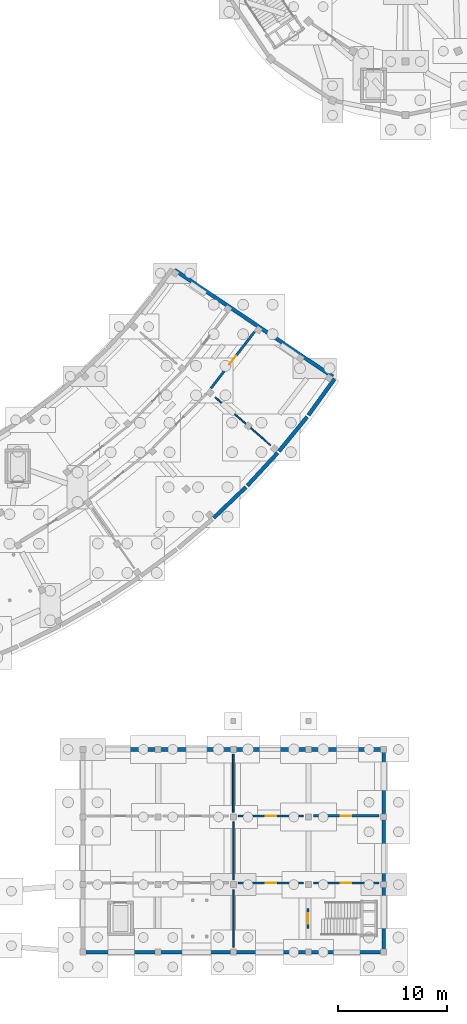
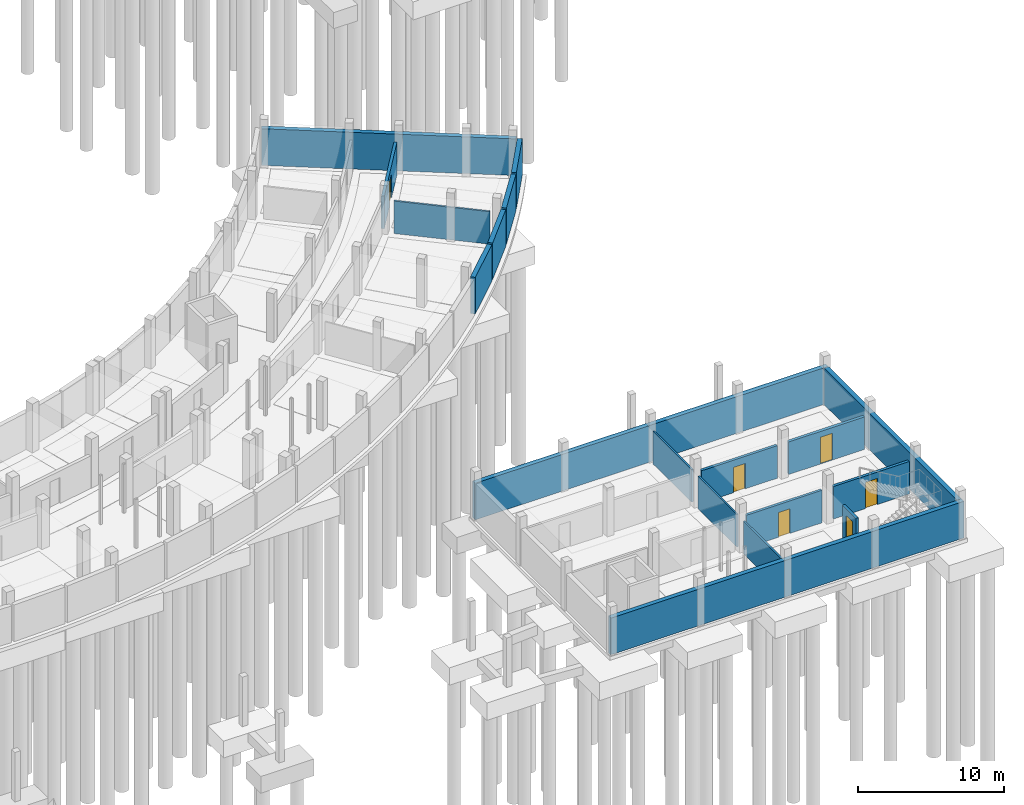
# One storey, part 45 of 58: 18 walls, 6 doors, 6 openings.
"""IFC4 building model written with IfcOpenShell, lengths in metres."""

from ifc_helpers import new_model, si_unit, direction, frame, frame_2d, origin, place, context, subcontext, project, spatial, rectangle, extrude, material, layer, layer_set, type_object, element, fill, save


model = new_model("IFC4")

# Units and contexts
model_context = context("Model", 3, precision=1e-05, world=origin(), true_north=direction((0.0, 1.0)))
body_context = subcontext(model_context, "Body", "Model", "MODEL_VIEW")
ifc_project = project(units=[si_unit("LENGTHUNIT", "METRE"), si_unit("AREAUNIT", "SQUARE_METRE"), si_unit("VOLUMEUNIT", "CUBIC_METRE"), si_unit("PLANEANGLEUNIT", "RADIAN"), si_unit("MASSUNIT", "GRAM", prefix="KILO")], contexts=[model_context])

# Site, building, storey
site_placement = place(None, origin())
site = spatial("IfcSite", under=ifc_project, at=site_placement, CompositionType="ELEMENT")
building_placement = place(site_placement, origin())
building = spatial("IfcBuilding", under=site, at=building_placement, Name="Caldaven Crescent School", CompositionType="ELEMENT")
storey_placement = place(building_placement, frame((0.0, 0.0, -4.080078125)))
storey = spatial("IfcBuildingStorey", under=building, at=storey_placement, Name="B1", CompositionType="ELEMENT", Elevation=-4.080078125)

# Wall, opening, door
ifc_material_1 = material(Name="Acoustic timber-stud and fire-rated gypsum board assembly", Category="wood")
ifc_layer_1 = layer(ifc_material_1, 0.18994140625)
ifc_layer_set_1 = layer_set([ifc_layer_1], Name="Acoustic timber-stud and fire-rated gypsum board assembly")
wall_type_1 = type_object("IfcWallType", Name="WAL-IW04", PredefinedType="STANDARD", material=ifc_layer_set_1)
wall_1_placement = place(storey_placement, frame((143.570068359375, 6.3798828125, 0.0), z_axis=(0.0, 0.0, 1.0), x_axis=(0.0, 1.0, 0.0)))
wall_1 = element("IfcWall", 1, at=wall_1_placement, inside=storey, type_object=wall_type_1, Name="IW-ST-STB4-B1", PredefinedType="STANDARD", context=body_context, shape_type="SweptSolid", body=[
    extrude(rectangle(XDim=1.840087890625, YDim=0.18994140625, at=frame_2d((0.919921875, 0.0))), origin(), (0.0, 0.0, 1.0), 2.719970703125),
])
opening_1_placement = place(wall_1_placement, frame((0.449951171875, 0.0, 0.0)))
opening_1 = element("IfcOpeningElement", 2, at=opening_1_placement, cuts=wall_1, Name="Opening FD-STB4-B1", PredefinedType="OPENING", context=body_context, shape_type="SweptSolid", body=[
    extrude(rectangle(XDim=0.93994140625, YDim=2.139892578125, at=frame_2d((0.469970703125, 1.06982421875))), frame((0.0, 0.10498046875, 0.0), z_axis=(0.0, -1.0, 0.0), x_axis=(1.0, 0.0, 0.0)), (0.0, 0.0, 1.0), 0.2099609375),
])
ifc_material_2 = material(Name="Acoustic fire-rated steel-framed hardwood leaf", Category="steel")
door_type_1 = type_object("IfcDoorType", Name="DOR-FD01", OperationType="NOTDEFINED", PredefinedType="DOOR", material=ifc_material_2)
door_1_placement = place(opening_1_placement, frame((0.93994140625, 0.0, 0.0), z_axis=(0.0, 0.0, 1.0), x_axis=(-1.0, 0.0, 0.0)))
door_1 = element("IfcDoor", 3, at=door_1_placement, inside=storey, type_object=door_type_1, Name="DOR-ST-STB4-B1", OperationType="SINGLE_SWING_LEFT", OverallHeight=2.139892578125, OverallWidth=0.93994140625, PredefinedType="DOOR", context=body_context, shape_type="SweptSolid", body=[
    extrude(rectangle(XDim=0.93994140625, YDim=2.139892578125, at=frame_2d((0.469970703125, 1.06982421875))), frame((0.0, 0.02490234375, 0.0), z_axis=(0.0, -1.0, 0.0), x_axis=(1.0, 0.0, 0.0)), (0.0, 0.0, 1.0), 0.050048828125),
])
fill(opening_1, door_1)

ifc_layer_2 = layer(ifc_material_1, 0.199951171875)
ifc_layer_set_2 = layer_set([ifc_layer_2], Name="Acoustic timber-stud and fire-rated gypsum board assembly")
wall_type_2 = type_object("IfcWallType", Name="WAL-IW05", PredefinedType="STANDARD", material=ifc_layer_set_2)
wall_2_placement = place(storey_placement, frame((137.14990234375, 10.550048828125, 0.0), z_axis=(0.0, 0.0, 1.0), x_axis=(1.0, 0.0, 0.0)))
wall_2 = element("IfcWall", 4, at=wall_2_placement, inside=storey, type_object=wall_type_2, Name="IW-B1-0068", PredefinedType="STANDARD", context=body_context, shape_type="SweptSolid", body=[
    extrude(rectangle(XDim=6.0, YDim=0.199951171875, at=frame_2d((3.0, 0.0))), origin(), (0.0, 0.0, 1.0), 2.719970703125),
])
opening_2_placement = place(wall_2_placement, frame((2.530029296875, 0.0, 0.0)))
opening_2 = element("IfcOpeningElement", 5, at=opening_2_placement, cuts=wall_2, Name="Opening D-B1-I048", PredefinedType="OPENING", context=body_context, shape_type="SweptSolid", body=[
    extrude(rectangle(XDim=0.93994140625, YDim=2.06005859375, at=frame_2d((0.469970703125, 1.030029296875))), frame((0.0, 0.10986328125, 0.0), z_axis=(0.0, -1.0, 0.0), x_axis=(1.0, 0.0, 0.0)), (0.0, 0.0, 1.0), 0.219970703125),
])
ifc_material_3 = material(Name="Solid-core Pino Radiata acoustic timber leaf in steel frame", Category="steel")
door_type_2 = type_object("IfcDoorType", Name="DOR-ID09", OperationType="NOTDEFINED", PredefinedType="DOOR", material=ifc_material_3)
door_2_placement = place(opening_2_placement, origin())
door_2 = element("IfcDoor", 6, at=door_2_placement, inside=storey, type_object=door_type_2, Name="DOR-INT-B1-0048", OperationType="SINGLE_SWING_LEFT", OverallHeight=2.06005859375, OverallWidth=0.93994140625, PredefinedType="DOOR", context=body_context, shape_type="SweptSolid", body=[
    extrude(rectangle(XDim=0.93994140625, YDim=2.06005859375, at=frame_2d((0.469970703125, 1.030029296875))), frame((0.0, 0.02490234375, 0.0), z_axis=(0.0, -1.0, 0.0), x_axis=(1.0, 0.0, 0.0)), (0.0, 0.0, 1.0), 0.050048828125),
])
fill(opening_2, door_2)

ifc_layer_3 = layer(ifc_material_1, 0.2099609375)
ifc_layer_set_3 = layer_set([ifc_layer_3], Name="Acoustic timber-stud and fire-rated gypsum board assembly")
wall_type_3 = type_object("IfcWallType", Name="WAL-IW06", PredefinedType="STANDARD", material=ifc_layer_set_3)
wall_3_placement = place(storey_placement, frame((137.14990234375, 16.699951171875, 0.0), z_axis=(0.0, 0.0, 1.0), x_axis=(1.0, 0.0, 0.0)))
wall_3 = element("IfcWall", 7, at=wall_3_placement, inside=storey, type_object=wall_type_3, Name="IW-B1-0069", PredefinedType="STANDARD", context=body_context, shape_type="SweptSolid", body=[
    extrude(rectangle(XDim=6.0, YDim=0.2099609375, at=frame_2d((3.0, 0.0))), origin(), (0.0, 0.0, 1.0), 2.719970703125),
])
opening_3_placement = place(wall_3_placement, frame((2.530029296875, 0.0, 0.0)))
opening_3 = element("IfcOpeningElement", 8, at=opening_3_placement, cuts=wall_3, Name="Opening D-B1-I049", PredefinedType="OPENING", context=body_context, shape_type="SweptSolid", body=[
    extrude(rectangle(XDim=0.93994140625, YDim=2.1201171875, at=frame_2d((0.469970703125, 1.06005859375))), frame((0.0, 0.114990234375, 0.0), z_axis=(0.0, -1.0, 0.0), x_axis=(1.0, 0.0, 0.0)), (0.0, 0.0, 1.0), 0.22998046875),
])
door_type_3 = type_object("IfcDoorType", Name="DOR-ID10", OperationType="NOTDEFINED", PredefinedType="DOOR", material=ifc_material_3)
door_3_placement = place(opening_3_placement, frame((0.93994140625, 0.0, 0.0), z_axis=(0.0, 0.0, 1.0), x_axis=(-1.0, 0.0, 0.0)))
door_3 = element("IfcDoor", 9, at=door_3_placement, inside=storey, type_object=door_type_3, Name="DOR-INT-B1-0049", OperationType="SINGLE_SWING_RIGHT", OverallHeight=2.1201171875, OverallWidth=0.93994140625, PredefinedType="DOOR", context=body_context, shape_type="SweptSolid", body=[
    extrude(rectangle(XDim=0.93994140625, YDim=2.1201171875, at=frame_2d((0.469970703125, 1.06005859375))), frame((0.0, 0.02490234375, 0.0), z_axis=(0.0, -1.0, 0.0), x_axis=(1.0, 0.0, 0.0)), (0.0, 0.0, 1.0), 0.050048828125),
])
fill(opening_3, door_3)

ifc_layer_4 = layer(ifc_material_1, 0.219970703125)
ifc_layer_set_4 = layer_set([ifc_layer_4], Name="Acoustic timber-stud and fire-rated gypsum board assembly")
wall_type_4 = type_object("IfcWallType", Name="WAL-IW07", PredefinedType="STANDARD", material=ifc_layer_set_4)
wall_4_placement = place(storey_placement, frame((144.050048828125, 10.550048828125, 0.0), z_axis=(0.0, 0.0, 1.0), x_axis=(1.0, 0.0, 0.0)))
wall_4 = element("IfcWall", 10, at=wall_4_placement, inside=storey, type_object=wall_type_4, Name="IW-B1-0070", PredefinedType="STANDARD", context=body_context, shape_type="SweptSolid", body=[
    extrude(rectangle(XDim=6.0, YDim=0.219970703125, at=frame_2d((3.0, 0.0))), origin(), (0.0, 0.0, 1.0), 2.719970703125),
])
opening_4_placement = place(wall_4_placement, frame((2.530029296875, 0.0, 0.0)))
opening_4 = element("IfcOpeningElement", 11, at=opening_4_placement, cuts=wall_4, Name="Opening D-B1-I050", PredefinedType="OPENING", context=body_context, shape_type="SweptSolid", body=[
    extrude(rectangle(XDim=0.93994140625, YDim=2.179931640625, at=frame_2d((0.469970703125, 1.08984375))), frame((0.0, 0.119873046875, 0.0), z_axis=(0.0, -1.0, 0.0), x_axis=(1.0, 0.0, 0.0)), (0.0, 0.0, 1.0), 0.239990234375),
])
door_type_4 = type_object("IfcDoorType", Name="DOR-ID11", OperationType="NOTDEFINED", PredefinedType="DOOR", material=ifc_material_3)
door_4_placement = place(opening_4_placement, origin())
door_4 = element("IfcDoor", 12, at=door_4_placement, inside=storey, type_object=door_type_4, Name="DOR-INT-B1-0050", OperationType="SINGLE_SWING_LEFT", OverallHeight=2.179931640625, OverallWidth=0.93994140625, PredefinedType="DOOR", context=body_context, shape_type="SweptSolid", body=[
    extrude(rectangle(XDim=0.93994140625, YDim=2.179931640625, at=frame_2d((0.469970703125, 1.08984375))), frame((0.0, 0.02490234375, 0.0), z_axis=(0.0, -1.0, 0.0), x_axis=(1.0, 0.0, 0.0)), (0.0, 0.0, 1.0), 0.050048828125),
])
fill(opening_4, door_4)

wall_5_placement = place(storey_placement, frame((134.6494140625, 55.92431640625, 0.0), z_axis=(0.0, 0.0, 1.0), x_axis=(0.610378079511, 0.792110219637, 0.0)))
wall_5 = element("IfcWall", 13, at=wall_5_placement, inside=storey, type_object=wall_type_4, Name="IW-B1-0166", PredefinedType="STANDARD", context=body_context, shape_type="SweptSolid", body=[
    extrude(rectangle(XDim=6.539794921875, YDim=0.219970703125, at=frame_2d((3.27001953125, 0.0))), origin(), (0.0, 0.0, 1.0), 2.719970703125),
])
opening_5_placement = place(wall_5_placement, frame((2.760009765625, 0.0, 0.0)))
opening_5 = element("IfcOpeningElement", 14, at=opening_5_placement, cuts=wall_5, Name="Opening D-B1-I116", PredefinedType="OPENING", context=body_context, shape_type="SweptSolid", body=[
    extrude(rectangle(XDim=1.02001953125, YDim=2.06005859375, at=frame_2d((0.510009765625, 1.030029296875))), frame((0.0, 0.119873046875, 0.0), z_axis=(0.0, -1.0, 0.0), x_axis=(1.0, 0.0, 0.0)), (0.0, 0.0, 1.0), 0.239990234375),
])
door_type_5 = type_object("IfcDoorType", Name="DOR-ID17", OperationType="NOTDEFINED", PredefinedType="DOOR", material=ifc_material_3)
door_5_placement = place(opening_5_placement, origin())
door_5 = element("IfcDoor", 15, at=door_5_placement, inside=storey, type_object=door_type_5, Name="DOR-INT-B1-0116", OperationType="SINGLE_SWING_LEFT", OverallHeight=2.06005859375, OverallWidth=1.02001953125, PredefinedType="DOOR", context=body_context, shape_type="SweptSolid", body=[
    extrude(rectangle(XDim=1.02001953125, YDim=2.06005859375, at=frame_2d((0.510009765625, 1.030029296875))), frame((0.0, 0.02490234375, 0.0), z_axis=(0.0, -1.0, 0.0), x_axis=(1.0, 0.0, 0.0)), (0.0, 0.0, 1.0), 0.050048828125),
])
fill(opening_5, door_5)

ifc_layer_5 = layer(ifc_material_1, 0.22998046875)
ifc_layer_set_5 = layer_set([ifc_layer_5], Name="Acoustic timber-stud and fire-rated gypsum board assembly")
wall_type_5 = type_object("IfcWallType", Name="WAL-IW08", PredefinedType="STANDARD", material=ifc_layer_set_5)
wall_6_placement = place(storey_placement, frame((144.050048828125, 16.699951171875, 0.0), z_axis=(0.0, 0.0, 1.0), x_axis=(1.0, 0.0, 0.0)))
wall_6 = element("IfcWall", 16, at=wall_6_placement, inside=storey, type_object=wall_type_5, Name="IW-B1-0071", PredefinedType="STANDARD", context=body_context, shape_type="SweptSolid", body=[
    extrude(rectangle(XDim=6.0, YDim=0.22998046875, at=frame_2d((3.0, 0.0))), origin(), (0.0, 0.0, 1.0), 2.719970703125),
])
opening_6_placement = place(wall_6_placement, frame((2.530029296875, 0.0, 0.0)))
opening_6 = element("IfcOpeningElement", 17, at=opening_6_placement, cuts=wall_6, Name="Opening D-B1-I051", PredefinedType="OPENING", context=body_context, shape_type="SweptSolid", body=[
    extrude(rectangle(XDim=0.93994140625, YDim=2.239990234375, at=frame_2d((0.469970703125, 1.1201171875))), frame((0.0, 0.125, 0.0), z_axis=(0.0, -1.0, 0.0), x_axis=(1.0, 0.0, 0.0)), (0.0, 0.0, 1.0), 0.25),
])
door_type_6 = type_object("IfcDoorType", Name="DOR-ID12", OperationType="NOTDEFINED", PredefinedType="DOOR", material=ifc_material_3)
door_6_placement = place(opening_6_placement, frame((0.93994140625, 0.0, 0.0), z_axis=(0.0, 0.0, 1.0), x_axis=(-1.0, 0.0, 0.0)))
door_6 = element("IfcDoor", 18, at=door_6_placement, inside=storey, type_object=door_type_6, Name="DOR-INT-B1-0051", OperationType="SINGLE_SWING_RIGHT", OverallHeight=2.239990234375, OverallWidth=0.93994140625, PredefinedType="DOOR", context=body_context, shape_type="SweptSolid", body=[
    extrude(rectangle(XDim=0.93994140625, YDim=2.239990234375, at=frame_2d((0.469970703125, 1.1201171875))), frame((0.0, 0.02490234375, 0.0), z_axis=(0.0, -1.0, 0.0), x_axis=(1.0, 0.0, 0.0)), (0.0, 0.0, 1.0), 0.050048828125),
])
fill(opening_6, door_6)

# Walls
ifc_material_4 = material(Name="Acoustic double-layer gypsum partition on galvanised steel studs", Category="steel")
ifc_layer_6 = layer(ifc_material_4, 0.134033203125)
ifc_layer_set_6 = layer_set([ifc_layer_6], Name="Acoustic double-layer gypsum partition on galvanised steel studs")
wall_type_6 = type_object("IfcWallType", Name="WAL-PT09", PredefinedType="PARTITIONING", material=ifc_layer_set_6)
wall_7_placement = place(storey_placement, frame((136.699951171875, 4.64990234375, 0.0), z_axis=(0.0, 0.0, 1.0), x_axis=(0.0, 1.0, 0.0)))
element("IfcWall", 19, at=wall_7_placement, inside=storey, type_object=wall_type_6, Name="IW-B1-0072", PredefinedType="PARTITIONING", context=body_context, shape_type="SweptSolid", body=[
    extrude(rectangle(XDim=5.300048828125, YDim=0.134033203125, at=frame_2d((2.64990234375, 0.0))), origin(), (0.0, 0.0, 1.0), 2.719970703125),
])
wall_8_placement = place(storey_placement, frame((135.05615234375, 55.0947265625, 0.0), z_axis=(0.0, 0.0, 1.0), x_axis=(0.754721612631, -0.656045187032, 0.0)))
element("IfcWall", 20, at=wall_8_placement, inside=storey, type_object=wall_type_6, Name="IW-B1-0168", PredefinedType="PARTITIONING", context=body_context, shape_type="SweptSolid", body=[
    extrude(rectangle(XDim=6.699951171875, YDim=0.134033203125, at=frame_2d((3.35009765625, 0.0))), origin(), (0.0, 0.0, 1.0), 2.719970703125),
])
ifc_layer_7 = layer(ifc_material_4, 0.139892578125)
ifc_layer_set_7 = layer_set([ifc_layer_7], Name="Acoustic double-layer gypsum partition on galvanised steel studs")
wall_type_7 = type_object("IfcWallType", Name="WAL-PT10", PredefinedType="PARTITIONING", material=ifc_layer_set_7)
wall_9_placement = place(storey_placement, frame((136.699951171875, 10.85009765625, 0.0), z_axis=(0.0, 0.0, 1.0), x_axis=(0.0, 1.0, 0.0)))
element("IfcWall", 21, at=wall_9_placement, inside=storey, type_object=wall_type_7, Name="IW-B1-0073", PredefinedType="PARTITIONING", context=body_context, shape_type="SweptSolid", body=[
    extrude(rectangle(XDim=5.2998046875, YDim=0.139892578125, at=frame_2d((2.64990234375, 0.0))), origin(), (0.0, 0.0, 1.0), 2.719970703125),
])
ifc_layer_8 = layer(ifc_material_4, 0.14599609375)
ifc_layer_set_8 = layer_set([ifc_layer_8], Name="Acoustic double-layer gypsum partition on galvanised steel studs")
wall_type_8 = type_object("IfcWallType", Name="WAL-PT11", PredefinedType="PARTITIONING", material=ifc_layer_set_8)
wall_10_placement = place(storey_placement, frame((136.699951171875, 17.050048828125, 0.0), z_axis=(0.0, 0.0, 1.0), x_axis=(0.0, 1.0, 0.0)))
element("IfcWall", 22, at=wall_10_placement, inside=storey, type_object=wall_type_8, Name="IW-B1-0074", PredefinedType="PARTITIONING", context=body_context, shape_type="SweptSolid", body=[
    extrude(rectangle(XDim=5.300048828125, YDim=0.14599609375, at=frame_2d((2.64990234375, 0.0))), origin(), (0.0, 0.0, 1.0), 2.719970703125),
])
ifc_material_5 = material(Name="Concrete C30/37", Category="concrete")
ifc_layer_9 = layer(ifc_material_5, 0.35009765625)
ifc_layer_set_9 = layer_set([ifc_layer_9], Name="Concrete C30/37")
wall_type_9 = type_object("IfcWallType", Name="WAL-RW1", PredefinedType="USERDEFINED", material=ifc_layer_set_9)
for number, where, z_axis, x_axis, name in (
    (23, (122.72509765625, 4.199951171875, 0.0), (0.0, 0.0, 1.0), (1.0, 0.0, 0.0), "RW-V3-B1-S"),
    (24, (122.72509765625, 22.800048828125, 0.0), (0.0, 0.0, 1.0), (1.0, 0.0, 0.0), "RW-V3-B1-N"),
):
    element("IfcWall", number, at=place(storey_placement, frame(where, z_axis=z_axis, x_axis=x_axis)), inside=storey, type_object=wall_type_9, Name=name, ObjectType="RETAININGWALL", PredefinedType="USERDEFINED", context=body_context, shape_type="SweptSolid", body=[
        extrude(rectangle(XDim=27.949951171875, YDim=0.35009765625, at=frame_2d((13.97509765625, 0.0))), origin(), (0.0, 0.0, 1.0), 3.065185546875),
    ])
wall_11_placement = place(storey_placement, frame((150.5, 4.375, 0.0), z_axis=(0.0, 0.0, 1.0), x_axis=(0.0, 1.0, 0.0)))
element("IfcWall", 25, at=wall_11_placement, inside=storey, type_object=wall_type_9, Name="RW-V3-B1-E", ObjectType="RETAININGWALL", PredefinedType="USERDEFINED", context=body_context, shape_type="SweptSolid", body=[
    extrude(rectangle(XDim=18.25, YDim=0.35009765625, at=frame_2d((9.125, 0.0))), origin(), (0.0, 0.0, 1.0), 3.065185546875),
])
wall_12_placement = place(storey_placement, frame((134.91162109375, 44.04541015625, 0.0), z_axis=(0.0, 0.0, 1.0), x_axis=(0.722376692903, 0.691499756725, 0.0)))
element("IfcWall", 26, at=wall_12_placement, inside=storey, type_object=wall_type_9, Name="RW-CRESC-OUT-28", ObjectType="RETAININGWALL", PredefinedType="USERDEFINED", context=body_context, shape_type="SweptSolid", body=[
    extrude(rectangle(XDim=4.080078125, YDim=0.35009765625, at=frame_2d((2.0400390625, 0.0))), origin(), (0.0, 0.0, 1.0), 3.065185546875),
])
for number, where, z_axis, x_axis, name in (
    (27, (137.99609375, 47.006103515625, 0.0), (0.0, 0.0, 1.0), (0.678764601476, 0.734355919009, 0.0), "RW-CRESC-OUT-29"),
    (28, (140.893798828125, 50.149658203125, 0.0), (0.0, 0.0, 1.0), (0.632696698526, 0.774399695037, 0.0), "RW-CRESC-OUT-30"),
    (29, (143.59423828125, 53.46435546875, 0.0), (0.0, 0.0, 1.0), (0.584279503148, 0.811552501198, 0.0), "RW-CRESC-OUT-31"),
):
    element("IfcWall", number, at=place(storey_placement, frame(where, z_axis=z_axis, x_axis=x_axis)), inside=storey, type_object=wall_type_9, Name=name, ObjectType="RETAININGWALL", PredefinedType="USERDEFINED", context=body_context, shape_type="SweptSolid", body=[
        extrude(rectangle(XDim=4.079833984375, YDim=0.35009765625, at=frame_2d((2.0400390625, 0.0))), origin(), (0.0, 0.0, 1.0), 3.065185546875),
    ])
wall_13_placement = place(storey_placement, frame((131.317138671875, 66.7822265625, 0.0), z_axis=(0.0, 0.0, 1.0), x_axis=(0.829039791681, -0.559189613468, 0.0)))
element("IfcWall", 30, at=wall_13_placement, inside=storey, type_object=wall_type_9, Name="RW-CRESC-END-EAST", ObjectType="RETAININGWALL", PredefinedType="USERDEFINED", context=body_context, shape_type="SweptSolid", body=[
    extrude(rectangle(XDim=17.500244140625, YDim=0.35009765625, at=frame_2d((8.75, 0.0))), origin(), (0.0, 0.0, 1.0), 3.065185546875),
])

save(model, "model.ifc")
